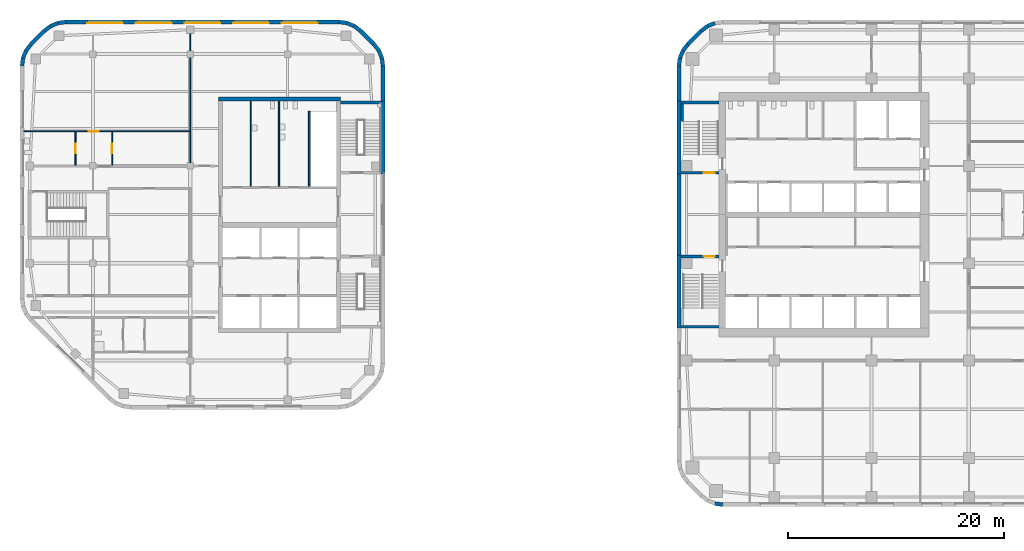
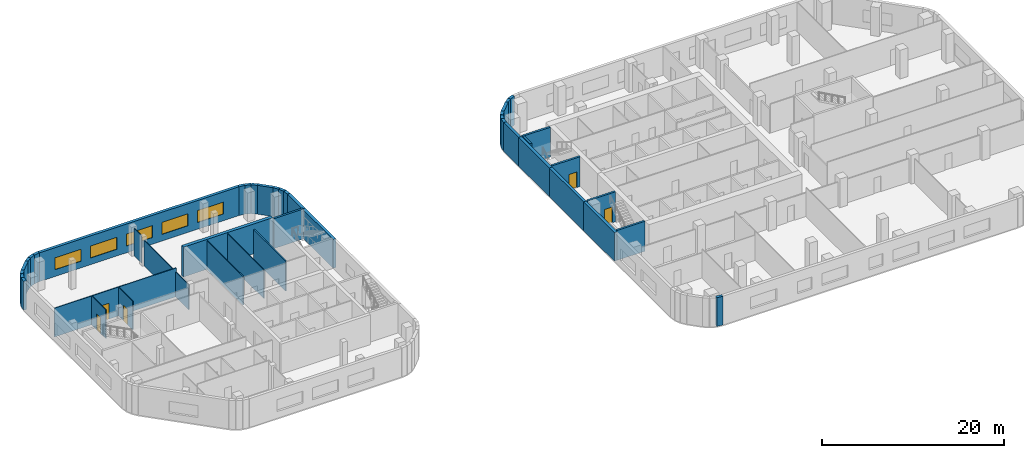
# One storey, part 7 of 14: 44 walls, 5 doors, 5 windows, 10 openings.
"""IFC4 building model written with IfcOpenShell, lengths in metres."""

from ifc_helpers import new_model, si_unit, direction, frame, frame_2d, origin, place, context, subcontext, project, spatial, rectangle, extrude, material, layer, layer_set, type_object, element, fill, save


model = new_model("IFC4")

# Units and contexts
model_context = context("Model", 3, precision=1e-05, world=origin(), true_north=direction((0.0, 1.0)))
body_context = subcontext(model_context, "Body", "Model", "MODEL_VIEW")
ifc_project = project(units=[si_unit("LENGTHUNIT", "METRE"), si_unit("AREAUNIT", "SQUARE_METRE"), si_unit("VOLUMEUNIT", "CUBIC_METRE"), si_unit("PLANEANGLEUNIT", "RADIAN"), si_unit("MASSUNIT", "GRAM", prefix="KILO")], contexts=[model_context])

# Site, building, storey
site_placement = place(None, origin())
site = spatial("IfcSite", under=ifc_project, at=site_placement, CompositionType="ELEMENT")
building_placement = place(site_placement, origin())
building = spatial("IfcBuilding", under=site, at=building_placement, Name="Cinnabar Reach Civic Tower", CompositionType="ELEMENT")
storey_placement = place(building_placement, frame((0.0, 0.0, 128.0)))
storey = spatial("IfcBuildingStorey", under=building, at=storey_placement, Name="L30", CompositionType="ELEMENT", Elevation=128.0)

# Walls
ifc_material_1 = material(Name="Facing brick with insulated backing", Category="masonry")
ifc_layer_1 = layer(ifc_material_1, 0.36)
ifc_layer_set_1 = layer_set([ifc_layer_1], Name="Brick corner wall")
wall_type_1 = type_object("IfcWallType", Name="Brick corner wall", PredefinedType="STANDARD", material=ifc_layer_set_1)
wall_1_placement = place(storey_placement, frame((3.5027, 49.2181, 0.0), z_axis=(0.0, 0.0, 1.0), x_axis=(-0.923871547278, -0.382702709855, 0.0)))
element("IfcWall", 1, at=wall_1_placement, inside=storey, type_object=wall_type_1, Name="Brick corner wall", PredefinedType="STANDARD", context=body_context, shape_type="SweptSolid", body=[
    extrude(rectangle(XDim=0.7131, YDim=0.36, at=frame_2d((0.3565, 0.0))), origin(), (0.0, 0.0, 1.0), 3.85),
])
for number, where, z_axis, x_axis, name in (
    (2, (2.8245, 48.934, 0.0), (0.0, 0.0, 1.0), (-0.793321924995, -0.608802368033, 0.0), "Brick corner wall"),
    (3, (1.0002, 47.2413, 0.0), (0.0, 0.0, 1.0), (-0.608802368033, -0.793321924995, 0.0), "Brick corner wall"),
):
    element("IfcWall", number, at=place(storey_placement, frame(where, z_axis=z_axis, x_axis=x_axis)), inside=storey, type_object=wall_type_1, Name=name, PredefinedType="STANDARD", context=body_context, shape_type="SweptSolid", body=[
        extrude(rectangle(XDim=0.7132, YDim=0.36, at=frame_2d((0.3566, 0.0))), origin(), (0.0, 0.0, 1.0), 3.85),
    ])
for number, where, z_axis, x_axis, name in (
    (4, (0.5548, 46.6561, 0.0), (0.0, 0.0, 1.0), (-0.382702709855, -0.923871547278, 0.0), "Brick corner wall"),
    (5, (0.2761, 45.9756, 0.0), (0.0, 0.0, 1.0), (-0.13055608231, -0.99144092581, 0.0), "Brick corner wall"),
    (6, (3.5244, 4.7761, 0.0), (0.0, 0.0, 1.0), (0.99144092581, -0.13055608231, 0.0), "Brick corner wall"),
    (7, (-27.183, 45.2686, 0.0), (0.0, 0.0, 1.0), (-0.13055608231, 0.99144092581, 0.0), "Brick corner wall"),
    (8, (-27.2819, 45.9973, 0.0), (0.0, 0.0, 1.0), (-0.382702709855, 0.923871547278, 0.0), "Brick corner wall"),
):
    element("IfcWall", number, at=place(storey_placement, frame(where, z_axis=z_axis, x_axis=x_axis)), inside=storey, type_object=wall_type_1, Name=name, PredefinedType="STANDARD", context=body_context, shape_type="SweptSolid", body=[
        extrude(rectangle(XDim=0.7131, YDim=0.36, at=frame_2d((0.3565, 0.0))), origin(), (0.0, 0.0, 1.0), 3.85),
    ])
for number, where, z_axis, x_axis, name in (
    (9, (-27.566, 46.6755, 0.0), (0.0, 0.0, 1.0), (-0.608802368033, 0.793321924995, 0.0), "Brick corner wall"),
    (10, (-29.2587, 48.4998, 0.0), (0.0, 0.0, 1.0), (-0.793321924995, 0.608802368033, 0.0), "Brick corner wall"),
):
    element("IfcWall", number, at=place(storey_placement, frame(where, z_axis=z_axis, x_axis=x_axis)), inside=storey, type_object=wall_type_1, Name=name, PredefinedType="STANDARD", context=body_context, shape_type="SweptSolid", body=[
        extrude(rectangle(XDim=0.7132, YDim=0.36, at=frame_2d((0.3566, 0.0))), origin(), (0.0, 0.0, 1.0), 3.85),
    ])
for number, where, z_axis, x_axis, name in (
    (11, (-29.8439, 48.9452, 0.0), (0.0, 0.0, 1.0), (-0.923871547278, 0.382702709855, 0.0), "Brick corner wall"),
    (12, (-30.5244, 49.2239, 0.0), (0.0, 0.0, 1.0), (-0.99144092581, 0.13055608231, 0.0), "Brick corner wall"),
    (13, (-56.5186, 49.317, 0.0), (0.0, 0.0, 1.0), (-0.99144092581, -0.13055608231, 0.0), "Brick corner wall"),
    (14, (-57.2473, 49.2181, 0.0), (0.0, 0.0, 1.0), (-0.923871547278, -0.382702709855, 0.0), "Brick corner wall"),
):
    element("IfcWall", number, at=place(storey_placement, frame(where, z_axis=z_axis, x_axis=x_axis)), inside=storey, type_object=wall_type_1, Name=name, PredefinedType="STANDARD", context=body_context, shape_type="SweptSolid", body=[
        extrude(rectangle(XDim=0.7131, YDim=0.36, at=frame_2d((0.3565, 0.0))), origin(), (0.0, 0.0, 1.0), 3.85),
    ])
for number, where, z_axis, x_axis, name in (
    (15, (-57.9255, 48.934, 0.0), (0.0, 0.0, 1.0), (-0.793321924995, -0.608802368033, 0.0), "Brick corner wall"),
    (16, (-59.7498, 47.2413, 0.0), (0.0, 0.0, 1.0), (-0.608802368033, -0.793321924995, 0.0), "Brick corner wall"),
):
    element("IfcWall", number, at=place(storey_placement, frame(where, z_axis=z_axis, x_axis=x_axis)), inside=storey, type_object=wall_type_1, Name=name, PredefinedType="STANDARD", context=body_context, shape_type="SweptSolid", body=[
        extrude(rectangle(XDim=0.7132, YDim=0.36, at=frame_2d((0.3566, 0.0))), origin(), (0.0, 0.0, 1.0), 3.85),
    ])
for number, where, z_axis, x_axis, name in (
    (17, (-60.1952, 46.6561, 0.0), (0.0, 0.0, 1.0), (-0.382702709855, -0.923871547278, 0.0), "Brick corner wall"),
    (18, (-60.4739, 45.9756, 0.0), (0.0, 0.0, 1.0), (-0.13055608231, -0.99144092581, 0.0), "Brick corner wall"),
):
    element("IfcWall", number, at=place(storey_placement, frame(where, z_axis=z_axis, x_axis=x_axis)), inside=storey, type_object=wall_type_1, Name=name, PredefinedType="STANDARD", context=body_context, shape_type="SweptSolid", body=[
        extrude(rectangle(XDim=0.7131, YDim=0.36, at=frame_2d((0.3565, 0.0))), origin(), (0.0, 0.0, 1.0), 3.85),
    ])
ifc_layer_2 = layer(ifc_material_1, 0.36)
ifc_layer_set_2 = layer_set([ifc_layer_2], Name="Brick pier and spandrel wall")
wall_type_2 = type_object("IfcWallType", Name="Brick pier and spandrel wall", PredefinedType="STANDARD", material=ifc_layer_set_2)
wall_2_placement = place(storey_placement, frame((2.2486, 48.494, 0.0), z_axis=(0.0, 0.0, 1.0), x_axis=(-0.707106781187, -0.707106781187, 0.0)))
element("IfcWall", 19, at=wall_2_placement, inside=storey, type_object=wall_type_2, Name="Brick facade wall", PredefinedType="STANDARD", context=body_context, shape_type="SweptSolid", body=[
    extrude(rectangle(XDim=1.7573, YDim=0.36, at=frame_2d((0.8787, 0.0))), origin(), (0.0, 0.0, 1.0), 3.85),
])
wall_3_placement = place(storey_placement, frame((0.18, 45.2574, 0.0), z_axis=(0.0, 0.0, 1.0), x_axis=(0.0, -1.0, 0.0)))
element("IfcWall", 20, at=wall_3_placement, inside=storey, type_object=wall_type_2, Name="Brick facade wall", PredefinedType="STANDARD", context=body_context, shape_type="SweptSolid", body=[
    extrude(rectangle(XDim=3.2574, YDim=0.36, at=frame_2d((1.6287, 0.0))), origin(), (0.0, 0.0, 1.0), 3.85),
])
wall_4_placement = place(storey_placement, frame((0.18, 42.0, 0.0), z_axis=(0.0, 0.0, 1.0), x_axis=(0.0, -1.0, 0.0)))
element("IfcWall", 21, at=wall_4_placement, inside=storey, type_object=wall_type_2, Name="Brick facade wall", PredefinedType="STANDARD", context=body_context, shape_type="SweptSolid", body=[
    extrude(rectangle(XDim=6.75, YDim=0.36, at=frame_2d((3.375, 0.0))), origin(), (0.0, 0.0, 1.0), 3.85),
])
wall_5_placement = place(storey_placement, frame((0.18, 35.25, 0.0), z_axis=(0.0, 0.0, 1.0), x_axis=(0.0, -1.0, 0.0)))
element("IfcWall", 22, at=wall_5_placement, inside=storey, type_object=wall_type_2, Name="Brick facade wall", PredefinedType="STANDARD", context=body_context, shape_type="SweptSolid", body=[
    extrude(rectangle(XDim=7.5, YDim=0.36, at=frame_2d((3.75, 0.0))), origin(), (0.0, 0.0, 1.0), 3.85),
])
for number, where, z_axis, x_axis, name in (
    (23, (0.18, 27.75, 0.0), (0.0, 0.0, 1.0), (0.0, -1.0, 0.0), "Brick facade wall"),
    (24, (-27.18, 35.25, 0.0), (0.0, 0.0, 1.0), (0.0, 1.0, 0.0), "Brick facade wall"),
):
    element("IfcWall", number, at=place(storey_placement, frame(where, z_axis=z_axis, x_axis=x_axis)), inside=storey, type_object=wall_type_2, Name=name, PredefinedType="STANDARD", context=body_context, shape_type="SweptSolid", body=[
        extrude(rectangle(XDim=6.75, YDim=0.36, at=frame_2d((3.375, 0.0))), origin(), (0.0, 0.0, 1.0), 3.85),
    ])
wall_6_placement = place(storey_placement, frame((-27.18, 42.0, 0.0), z_axis=(0.0, 0.0, 1.0), x_axis=(0.0, 1.0, 0.0)))
element("IfcWall", 25, at=wall_6_placement, inside=storey, type_object=wall_type_2, Name="Brick facade wall", PredefinedType="STANDARD", context=body_context, shape_type="SweptSolid", body=[
    extrude(rectangle(XDim=3.2574, YDim=0.36, at=frame_2d((1.6287, 0.0))), origin(), (0.0, 0.0, 1.0), 3.85),
])
wall_7_placement = place(storey_placement, frame((-28.006, 47.2514, 0.0), z_axis=(0.0, 0.0, 1.0), x_axis=(-0.707106781187, 0.707106781187, 0.0)))
element("IfcWall", 26, at=wall_7_placement, inside=storey, type_object=wall_type_2, Name="Brick facade wall", PredefinedType="STANDARD", context=body_context, shape_type="SweptSolid", body=[
    extrude(rectangle(XDim=1.7573, YDim=0.36, at=frame_2d((0.8787, 0.0))), origin(), (0.0, 0.0, 1.0), 3.85),
])

# Wall, openings, windows
wall_8_placement = place(storey_placement, frame((-31.2426, 49.32, 0.0), z_axis=(0.0, 0.0, 1.0), x_axis=(-1.0, 0.0, 0.0)))
wall_8 = element("IfcWall", 27, at=wall_8_placement, inside=storey, type_object=wall_type_2, Name="Brick facade wall", PredefinedType="STANDARD", context=body_context, shape_type="SweptSolid", body=[
    extrude(rectangle(XDim=25.2648, YDim=0.36, at=frame_2d((12.6324, 0.0))), origin(), (0.0, 0.0, 1.0), 3.85),
])
opening_1_placement = place(wall_8_placement, frame((1.9824, 0.0, 0.9)))
opening_1 = element("IfcOpeningElement", 28, at=opening_1_placement, cuts=wall_8, Name="Opening W2769", PredefinedType="OPENING", context=body_context, shape_type="SweptSolid", body=[
    extrude(rectangle(XDim=3.3, YDim=1.6, at=frame_2d((1.65, 0.8))), frame((0.0, 0.19, 0.0), z_axis=(0.0, -1.0, 0.0), x_axis=(1.0, 0.0, 0.0)), (0.0, 0.0, 1.0), 0.38),
])
opening_2_placement = place(wall_8_placement, frame((6.4824, 0.0, 0.9)))
opening_2 = element("IfcOpeningElement", 29, at=opening_2_placement, cuts=wall_8, Name="Opening W2770", PredefinedType="OPENING", context=body_context, shape_type="SweptSolid", body=[
    extrude(rectangle(XDim=3.3, YDim=1.6, at=frame_2d((1.65, 0.8))), frame((0.0, 0.19, 0.0), z_axis=(0.0, -1.0, 0.0), x_axis=(1.0, 0.0, 0.0)), (0.0, 0.0, 1.0), 0.38),
])
opening_3_placement = place(wall_8_placement, frame((10.9824, 0.0, 0.9)))
opening_3 = element("IfcOpeningElement", 30, at=opening_3_placement, cuts=wall_8, Name="Opening W2771", PredefinedType="OPENING", context=body_context, shape_type="SweptSolid", body=[
    extrude(rectangle(XDim=3.3, YDim=1.6, at=frame_2d((1.65, 0.8))), frame((0.0, 0.19, 0.0), z_axis=(0.0, -1.0, 0.0), x_axis=(1.0, 0.0, 0.0)), (0.0, 0.0, 1.0), 0.38),
])
opening_4_placement = place(wall_8_placement, frame((15.4824, 0.0, 0.9)))
opening_4 = element("IfcOpeningElement", 31, at=opening_4_placement, cuts=wall_8, Name="Opening W2772", PredefinedType="OPENING", context=body_context, shape_type="SweptSolid", body=[
    extrude(rectangle(XDim=3.3, YDim=1.6, at=frame_2d((1.65, 0.8))), frame((0.0, 0.19, 0.0), z_axis=(0.0, -1.0, 0.0), x_axis=(1.0, 0.0, 0.0)), (0.0, 0.0, 1.0), 0.38),
])
opening_5_placement = place(wall_8_placement, frame((19.9824, 0.0, 0.9)))
opening_5 = element("IfcOpeningElement", 32, at=opening_5_placement, cuts=wall_8, Name="Opening W2773", PredefinedType="OPENING", context=body_context, shape_type="SweptSolid", body=[
    extrude(rectangle(XDim=3.3, YDim=1.6, at=frame_2d((1.65, 0.8))), frame((0.0, 0.19, 0.0), z_axis=(0.0, -1.0, 0.0), x_axis=(1.0, 0.0, 0.0)), (0.0, 0.0, 1.0), 0.38),
])
ifc_material_2 = material(Name="Clear double glazing in aluminium frame", Category="aluminium")
window_type = type_object("IfcWindowType", Name="Deep-set window A", PartitioningType="SINGLE_PANEL", PredefinedType="WINDOW", material=ifc_material_2)
window_1_placement = place(opening_1_placement, origin())
window_1 = element("IfcWindow", 33, at=window_1_placement, inside=storey, type_object=window_type, Name="Window north face", OverallHeight=1.6, OverallWidth=3.3, PartitioningType="SINGLE_PANEL", PredefinedType="WINDOW", context=body_context, shape_type="SweptSolid", body=[
    extrude(rectangle(XDim=3.3, YDim=1.6, at=frame_2d((1.65, 0.8))), frame((0.0, 0.13, 0.0), z_axis=(0.0, -1.0, 0.0), x_axis=(1.0, 0.0, 0.0)), (0.0, 0.0, 1.0), 0.06),
])
fill(opening_1, window_1)
window_2_placement = place(opening_2_placement, origin())
window_2 = element("IfcWindow", 34, at=window_2_placement, inside=storey, type_object=window_type, Name="Window north face", OverallHeight=1.6, OverallWidth=3.3, PartitioningType="SINGLE_PANEL", PredefinedType="WINDOW", context=body_context, shape_type="SweptSolid", body=[
    extrude(rectangle(XDim=3.3, YDim=1.6, at=frame_2d((1.65, 0.8))), frame((0.0, 0.13, 0.0), z_axis=(0.0, -1.0, 0.0), x_axis=(1.0, 0.0, 0.0)), (0.0, 0.0, 1.0), 0.06),
])
fill(opening_2, window_2)
window_3_placement = place(opening_3_placement, origin())
window_3 = element("IfcWindow", 35, at=window_3_placement, inside=storey, type_object=window_type, Name="Window north face", OverallHeight=1.6, OverallWidth=3.3, PartitioningType="SINGLE_PANEL", PredefinedType="WINDOW", context=body_context, shape_type="SweptSolid", body=[
    extrude(rectangle(XDim=3.3, YDim=1.6, at=frame_2d((1.65, 0.8))), frame((0.0, 0.13, 0.0), z_axis=(0.0, -1.0, 0.0), x_axis=(1.0, 0.0, 0.0)), (0.0, 0.0, 1.0), 0.06),
])
fill(opening_3, window_3)
window_4_placement = place(opening_4_placement, origin())
window_4 = element("IfcWindow", 36, at=window_4_placement, inside=storey, type_object=window_type, Name="Window north face", OverallHeight=1.6, OverallWidth=3.3, PartitioningType="SINGLE_PANEL", PredefinedType="WINDOW", context=body_context, shape_type="SweptSolid", body=[
    extrude(rectangle(XDim=3.3, YDim=1.6, at=frame_2d((1.65, 0.8))), frame((0.0, 0.13, 0.0), z_axis=(0.0, -1.0, 0.0), x_axis=(1.0, 0.0, 0.0)), (0.0, 0.0, 1.0), 0.06),
])
fill(opening_4, window_4)
window_5_placement = place(opening_5_placement, origin())
window_5 = element("IfcWindow", 37, at=window_5_placement, inside=storey, type_object=window_type, Name="Window north face", OverallHeight=1.6, OverallWidth=3.3, PartitioningType="SINGLE_PANEL", PredefinedType="WINDOW", context=body_context, shape_type="SweptSolid", body=[
    extrude(rectangle(XDim=3.3, YDim=1.6, at=frame_2d((1.65, 0.8))), frame((0.0, 0.13, 0.0), z_axis=(0.0, -1.0, 0.0), x_axis=(1.0, 0.0, 0.0)), (0.0, 0.0, 1.0), 0.06),
])
fill(opening_5, window_5)

# Walls
wall_9_placement = place(storey_placement, frame((-58.5014, 48.494, 0.0), z_axis=(0.0, 0.0, 1.0), x_axis=(-0.707106781187, -0.707106781187, 0.0)))
element("IfcWall", 38, at=wall_9_placement, inside=storey, type_object=wall_type_2, Name="Brick facade wall", PredefinedType="STANDARD", context=body_context, shape_type="SweptSolid", body=[
    extrude(rectangle(XDim=1.7573, YDim=0.36, at=frame_2d((0.8787, 0.0))), origin(), (0.0, 0.0, 1.0), 3.85),
])
ifc_material_3 = material(Name="Concrete C60", Category="concrete")
ifc_layer_3 = layer(ifc_material_3, 0.4)
ifc_layer_set_3 = layer_set([ifc_layer_3], Name="Core wall 400 EI 180")
wall_type_3 = type_object("IfcWallType", Name="Core wall 400 EI 180", PredefinedType="SOLIDWALL", material=ifc_layer_set_3)
wall_10_placement = place(storey_placement, frame((-31.1, 42.2, 0.0), z_axis=(0.0, 0.0, 1.0), x_axis=(-1.0, 0.0, 0.0)))
element("IfcWall", 39, at=wall_10_placement, inside=storey, type_object=wall_type_3, Name="Core wall T2 L30 N", PredefinedType="SOLIDWALL", context=body_context, shape_type="SweptSolid", body=[
    extrude(rectangle(XDim=11.3, YDim=0.4, at=frame_2d((5.65, 0.0))), origin(), (0.0, 0.0, 1.0), 4.0),
])

# Wall, opening, door
ifc_material_4 = material(Name="Gypsum board on steel studs", Category="steel")
ifc_layer_4 = layer(ifc_material_4, 0.1)
ifc_layer_set_4 = layer_set([ifc_layer_4], Name="Partition wall 100 T2")
wall_type_4 = type_object("IfcWallType", Name="Partition wall 100 T2", PredefinedType="PARTITIONING", material=ifc_layer_set_4)
wall_11_placement = place(storey_placement, frame((-60.39, 39.2, 0.0), z_axis=(0.0, 0.0, 1.0), x_axis=(1.0, 0.0, 0.0)))
wall_11 = element("IfcWall", 40, at=wall_11_placement, inside=storey, type_object=wall_type_4, Name="Partition wall 9", PredefinedType="PARTITIONING", context=body_context, shape_type="SweptSolid", body=[
    extrude(rectangle(XDim=15.44, YDim=0.1, at=frame_2d((7.72, 0.0))), origin(), (0.0, 0.0, 1.0), 3.85),
])
opening_6_placement = place(wall_11_placement, frame((6.0209, 0.0, 0.0)))
opening_6 = element("IfcOpeningElement", 41, at=opening_6_placement, cuts=wall_11, Name="Opening D7093", PredefinedType="OPENING", context=body_context, shape_type="SweptSolid", body=[
    extrude(rectangle(XDim=0.9, YDim=2.1, at=frame_2d((0.45, 1.05))), frame((0.0, 0.06, 0.0), z_axis=(0.0, -1.0, 0.0), x_axis=(1.0, 0.0, 0.0)), (0.0, 0.0, 1.0), 0.12),
])
ifc_material_5 = material(Name="Timber door leaf in steel frame", Category="steel")
door_type_1 = type_object("IfcDoorType", Name="Single swing door 900 x 2100 T2", OperationType="SINGLE_SWING_LEFT", PredefinedType="DOOR", material=ifc_material_5)
door_1_placement = place(opening_6_placement, frame((0.9, 0.0, 0.0), z_axis=(0.0, 0.0, 1.0), x_axis=(-1.0, 0.0, 0.0)))
door_1 = element("IfcDoor", 42, at=door_1_placement, inside=storey, type_object=door_type_1, Name="Door D7093", OperationType="SINGLE_SWING_RIGHT", OverallHeight=2.1, OverallWidth=0.9, PredefinedType="DOOR", context=body_context, shape_type="SweptSolid", body=[
    extrude(rectangle(XDim=0.9, YDim=2.1, at=frame_2d((0.45, 1.05))), frame((0.0, 0.025, 0.0), z_axis=(0.0, -1.0, 0.0), x_axis=(1.0, 0.0, 0.0)), (0.0, 0.0, 1.0), 0.05),
])
fill(opening_6, door_1)

# Walls
wall_12_placement = place(storey_placement, frame((-45.0, 39.25, 0.0), z_axis=(0.0, 0.0, 1.0), x_axis=(0.0, 1.0, 0.0)))
element("IfcWall", 43, at=wall_12_placement, inside=storey, type_object=wall_type_4, Name="Partition wall 10", PredefinedType="PARTITIONING", context=body_context, shape_type="SweptSolid", body=[
    extrude(rectangle(XDim=6.8, YDim=0.1, at=frame_2d((3.4, 0.0))), origin(), (0.0, 0.0, 1.0), 3.362),
])
wall_13_placement = place(storey_placement, frame((-45.0, 36.3, 0.0), z_axis=(0.0, 0.0, 1.0), x_axis=(0.0, 1.0, 0.0)))
element("IfcWall", 44, at=wall_13_placement, inside=storey, type_object=wall_type_4, Name="Partition wall 11", PredefinedType="PARTITIONING", context=body_context, shape_type="SweptSolid", body=[
    extrude(rectangle(XDim=2.85, YDim=0.1, at=frame_2d((1.425, 0.0))), origin(), (0.0, 0.0, 1.0), 3.362),
])
wall_14_placement = place(storey_placement, frame((-45.0, 46.65, 0.0), z_axis=(0.0, 0.0, 1.0), x_axis=(0.0, 1.0, 0.0)))
element("IfcWall", 45, at=wall_14_placement, inside=storey, type_object=wall_type_4, Name="Partition wall 12", PredefinedType="PARTITIONING", context=body_context, shape_type="SweptSolid", body=[
    extrude(rectangle(XDim=1.6, YDim=0.1, at=frame_2d((0.8, 0.0))), origin(), (0.0, 0.0, 1.0), 3.652),
])

# Wall, opening, door
wall_15_placement = place(storey_placement, frame((-55.6191, 36.075, 0.0), z_axis=(0.0, 0.0, 1.0), x_axis=(0.0, 1.0, 0.0)))
wall_15 = element("IfcWall", 46, at=wall_15_placement, inside=storey, type_object=wall_type_4, Name="Partition wall 21", PredefinedType="PARTITIONING", context=body_context, shape_type="SweptSolid", body=[
    extrude(rectangle(XDim=3.075, YDim=0.1, at=frame_2d((1.5375, 0.0))), origin(), (0.0, 0.0, 1.0), 3.85),
])
opening_7_placement = place(wall_15_placement, frame((1.1, 0.0, 0.0)))
opening_7 = element("IfcOpeningElement", 47, at=opening_7_placement, cuts=wall_15, Name="Opening D7091", PredefinedType="OPENING", context=body_context, shape_type="SweptSolid", body=[
    extrude(rectangle(XDim=0.9, YDim=2.1, at=frame_2d((0.45, 1.05))), frame((0.0, 0.06, 0.0), z_axis=(0.0, -1.0, 0.0), x_axis=(1.0, 0.0, 0.0)), (0.0, 0.0, 1.0), 0.12),
])
door_2_placement = place(opening_7_placement, origin())
door_2 = element("IfcDoor", 48, at=door_2_placement, inside=storey, type_object=door_type_1, Name="Door D7091", OperationType="SINGLE_SWING_RIGHT", OverallHeight=2.1, OverallWidth=0.9, PredefinedType="DOOR", context=body_context, shape_type="SweptSolid", body=[
    extrude(rectangle(XDim=0.9, YDim=2.1, at=frame_2d((0.45, 1.05))), frame((0.0, 0.025, 0.0), z_axis=(0.0, -1.0, 0.0), x_axis=(1.0, 0.0, 0.0)), (0.0, 0.0, 1.0), 0.05),
])
fill(opening_7, door_2)

wall_16_placement = place(storey_placement, frame((-52.2333, 36.075, 0.0), z_axis=(0.0, 0.0, 1.0), x_axis=(0.0, 1.0, 0.0)))
wall_16 = element("IfcWall", 49, at=wall_16_placement, inside=storey, type_object=wall_type_4, Name="Partition wall 22", PredefinedType="PARTITIONING", context=body_context, shape_type="SweptSolid", body=[
    extrude(rectangle(XDim=3.075, YDim=0.1, at=frame_2d((1.5375, 0.0))), origin(), (0.0, 0.0, 1.0), 3.85),
])
opening_8_placement = place(wall_16_placement, frame((1.1, 0.0, 0.0)))
opening_8 = element("IfcOpeningElement", 50, at=opening_8_placement, cuts=wall_16, Name="Opening D7092", PredefinedType="OPENING", context=body_context, shape_type="SweptSolid", body=[
    extrude(rectangle(XDim=0.9, YDim=2.1, at=frame_2d((0.45, 1.05))), frame((0.0, 0.06, 0.0), z_axis=(0.0, -1.0, 0.0), x_axis=(1.0, 0.0, 0.0)), (0.0, 0.0, 1.0), 0.12),
])
door_3_placement = place(opening_8_placement, origin())
door_3 = element("IfcDoor", 51, at=door_3_placement, inside=storey, type_object=door_type_1, Name="Door D7092", OperationType="SINGLE_SWING_RIGHT", OverallHeight=2.1, OverallWidth=0.9, PredefinedType="DOOR", context=body_context, shape_type="SweptSolid", body=[
    extrude(rectangle(XDim=0.9, YDim=2.1, at=frame_2d((0.45, 1.05))), frame((0.0, 0.025, 0.0), z_axis=(0.0, -1.0, 0.0), x_axis=(1.0, 0.0, 0.0)), (0.0, 0.0, 1.0), 0.05),
])
fill(opening_8, door_3)

# Wall
ifc_layer_5 = layer(ifc_material_3, 0.25)
ifc_layer_set_5 = layer_set([ifc_layer_5], Name="Stair shaft wall 250 EI 120")
wall_type_5 = type_object("IfcWallType", Name="Stair shaft wall 250 EI 120", PredefinedType="SOLIDWALL", material=ifc_layer_set_5)
wall_17_placement = place(storey_placement, frame((0.36, 21.125, 0.0), z_axis=(0.0, 0.0, 1.0), x_axis=(1.0, 0.0, 0.0)))
element("IfcWall", 52, at=wall_17_placement, inside=storey, type_object=wall_type_5, Name="Stair shaft wall T1-S1 L30", PredefinedType="SOLIDWALL", context=body_context, shape_type="SweptSolid", body=[
    extrude(rectangle(XDim=3.54, YDim=0.25, at=frame_2d((1.77, 0.0))), origin(), (0.0, 0.0, 1.0), 4.0),
])

# Wall, opening, door
wall_18_placement = place(storey_placement, frame((3.9, 27.625, 0.0), z_axis=(0.0, 0.0, 1.0), x_axis=(-1.0, 0.0, 0.0)))
wall_18 = element("IfcWall", 53, at=wall_18_placement, inside=storey, type_object=wall_type_5, Name="Stair shaft wall T1-S1 L30", PredefinedType="SOLIDWALL", context=body_context, shape_type="SweptSolid", body=[
    extrude(rectangle(XDim=3.54, YDim=0.25, at=frame_2d((1.77, 0.0))), origin(), (0.0, 0.0, 1.0), 4.0),
])
opening_9_placement = place(wall_18_placement, frame((0.4, 0.0, 0.0)))
opening_9 = element("IfcOpeningElement", 54, at=opening_9_placement, cuts=wall_18, Name="Opening D4213", PredefinedType="OPENING", context=body_context, shape_type="SweptSolid", body=[
    extrude(rectangle(XDim=1.0, YDim=2.1, at=frame_2d((0.5, 1.05))), frame((0.0, 0.135, 0.0), z_axis=(0.0, -1.0, 0.0), x_axis=(1.0, 0.0, 0.0)), (0.0, 0.0, 1.0), 0.27),
])
door_type_2 = type_object("IfcDoorType", Name="Stair door 1000 x 2100 T1", OperationType="SINGLE_SWING_LEFT", PredefinedType="DOOR", material=ifc_material_5)
door_4_placement = place(opening_9_placement, origin())
door_4 = element("IfcDoor", 55, at=door_4_placement, inside=storey, type_object=door_type_2, Name="Door D4213", OperationType="SINGLE_SWING_LEFT", OverallHeight=2.1, OverallWidth=1.0, PredefinedType="DOOR", context=body_context, shape_type="SweptSolid", body=[
    extrude(rectangle(XDim=1.0, YDim=2.1, at=frame_2d((0.5, 1.05))), frame((0.0, 0.025, 0.0), z_axis=(0.0, -1.0, 0.0), x_axis=(1.0, 0.0, 0.0)), (0.0, 0.0, 1.0), 0.05),
])
fill(opening_9, door_4)

wall_19_placement = place(storey_placement, frame((0.36, 35.375, 0.0), z_axis=(0.0, 0.0, 1.0), x_axis=(1.0, 0.0, 0.0)))
wall_19 = element("IfcWall", 56, at=wall_19_placement, inside=storey, type_object=wall_type_5, Name="Stair shaft wall T1-S2 L30", PredefinedType="SOLIDWALL", context=body_context, shape_type="SweptSolid", body=[
    extrude(rectangle(XDim=3.54, YDim=0.25, at=frame_2d((1.77, 0.0))), origin(), (0.0, 0.0, 1.0), 4.0),
])
opening_10_placement = place(wall_19_placement, frame((2.14, 0.0, 0.0)))
opening_10 = element("IfcOpeningElement", 57, at=opening_10_placement, cuts=wall_19, Name="Opening D4215", PredefinedType="OPENING", context=body_context, shape_type="SweptSolid", body=[
    extrude(rectangle(XDim=1.0, YDim=2.1, at=frame_2d((0.5, 1.05))), frame((0.0, 0.135, 0.0), z_axis=(0.0, -1.0, 0.0), x_axis=(1.0, 0.0, 0.0)), (0.0, 0.0, 1.0), 0.27),
])
door_5_placement = place(opening_10_placement, origin())
door_5 = element("IfcDoor", 58, at=door_5_placement, inside=storey, type_object=door_type_2, Name="Door D4215", OperationType="SINGLE_SWING_RIGHT", OverallHeight=2.1, OverallWidth=1.0, PredefinedType="DOOR", context=body_context, shape_type="SweptSolid", body=[
    extrude(rectangle(XDim=1.0, YDim=2.1, at=frame_2d((0.5, 1.05))), frame((0.0, 0.025, 0.0), z_axis=(0.0, -1.0, 0.0), x_axis=(1.0, 0.0, 0.0)), (0.0, 0.0, 1.0), 0.05),
])
fill(opening_10, door_5)

# Walls
wall_20_placement = place(storey_placement, frame((3.9, 41.875, 0.0), z_axis=(0.0, 0.0, 1.0), x_axis=(-1.0, 0.0, 0.0)))
element("IfcWall", 59, at=wall_20_placement, inside=storey, type_object=wall_type_5, Name="Stair shaft wall T1-S2 L30", PredefinedType="SOLIDWALL", context=body_context, shape_type="SweptSolid", body=[
    extrude(rectangle(XDim=3.54, YDim=0.25, at=frame_2d((1.77, 0.0))), origin(), (0.0, 0.0, 1.0), 4.0),
])
wall_21_placement = place(storey_placement, frame((-27.36, 41.875, 0.0), z_axis=(0.0, 0.0, 1.0), x_axis=(-1.0, 0.0, 0.0)))
element("IfcWall", 60, at=wall_21_placement, inside=storey, type_object=wall_type_5, Name="Stair shaft wall T2-S2 L30", PredefinedType="SOLIDWALL", context=body_context, shape_type="SweptSolid", body=[
    extrude(rectangle(XDim=3.74, YDim=0.25, at=frame_2d((1.87, 0.0))), origin(), (0.0, 0.0, 1.0), 4.0),
])
ifc_material_6 = material(Name="Concrete C40/50", Category="concrete")
ifc_layer_6 = layer(ifc_material_6, 0.24)
ifc_layer_set_6 = layer_set([ifc_layer_6], Name="T1 landing bearer wall 240")
wall_type_6 = type_object("IfcWallType", Name="T1 landing bearer wall 240", PredefinedType="STANDARD", material=ifc_layer_set_6)
wall_22_placement = place(storey_placement, frame((0.48, 40.13, 0.0), z_axis=(0.0, 0.0, 1.0), x_axis=(0.0, 1.0, 0.0)))
element("IfcWall", 61, at=wall_22_placement, inside=storey, type_object=wall_type_6, Name="T1-S2 landing bearer wall", PredefinedType="STANDARD", context=body_context, shape_type="SweptSolid", body=[
    extrude(rectangle(XDim=1.62, YDim=0.24, at=frame_2d((0.81, 0.0))), origin(), (0.0, 0.0, 1.0), 4.0),
])
ifc_material_7 = material(Name="Gypsum board partition")
ifc_layer_7 = layer(ifc_material_7, 0.1)
ifc_layer_set_7 = layer_set([ifc_layer_7], Name="T2 Internal partition 100")
wall_type_7 = type_object("IfcWallType", Name="T2 Internal partition 100", PredefinedType="PARTITIONING", material=ifc_layer_set_7)
for number, where, z_axis, x_axis, name in (
    (62, (-39.4, 34.075, 0.0), (0.0, 0.0, 1.0), (0.0, 1.0, 0.0), "T2 Internal partition L30 017"),
    (63, (-36.8, 34.075, 0.0), (0.0, 0.0, 1.0), (0.0, 1.0, 0.0), "T2 Internal partition L30 018"),
):
    element("IfcWall", number, at=place(storey_placement, frame(where, z_axis=z_axis, x_axis=x_axis)), inside=storey, type_object=wall_type_7, Name=name, PredefinedType="PARTITIONING", context=body_context, shape_type="SweptSolid", body=[
        extrude(rectangle(XDim=7.925, YDim=0.1, at=frame_2d((3.9625, 0.0))), origin(), (0.0, 0.0, 1.0), 3.85),
    ])
ifc_material_8 = material(Name="Concrete C40", Category="concrete")
ifc_layer_8 = layer(ifc_material_8, 0.15)
ifc_layer_set_8 = layer_set([ifc_layer_8], Name="T2 Riser wall 150")
wall_type_8 = type_object("IfcWallType", Name="T2 Riser wall 150", PredefinedType="SOLIDWALL", material=ifc_layer_set_8)
wall_23_placement = place(storey_placement, frame((-34.0, 41.075, 0.0), z_axis=(0.0, 0.0, 1.0), x_axis=(0.0, -1.0, 0.0)))
element("IfcWall", 64, at=wall_23_placement, inside=storey, type_object=wall_type_8, Name="T2 Riser wall L30 013", PredefinedType="SOLIDWALL", context=body_context, shape_type="SweptSolid", body=[
    extrude(rectangle(XDim=7.0, YDim=0.15, at=frame_2d((3.5, 0.0))), origin(), (0.0, 0.0, 1.0), 4.0),
])

save(model, "model.ifc")
